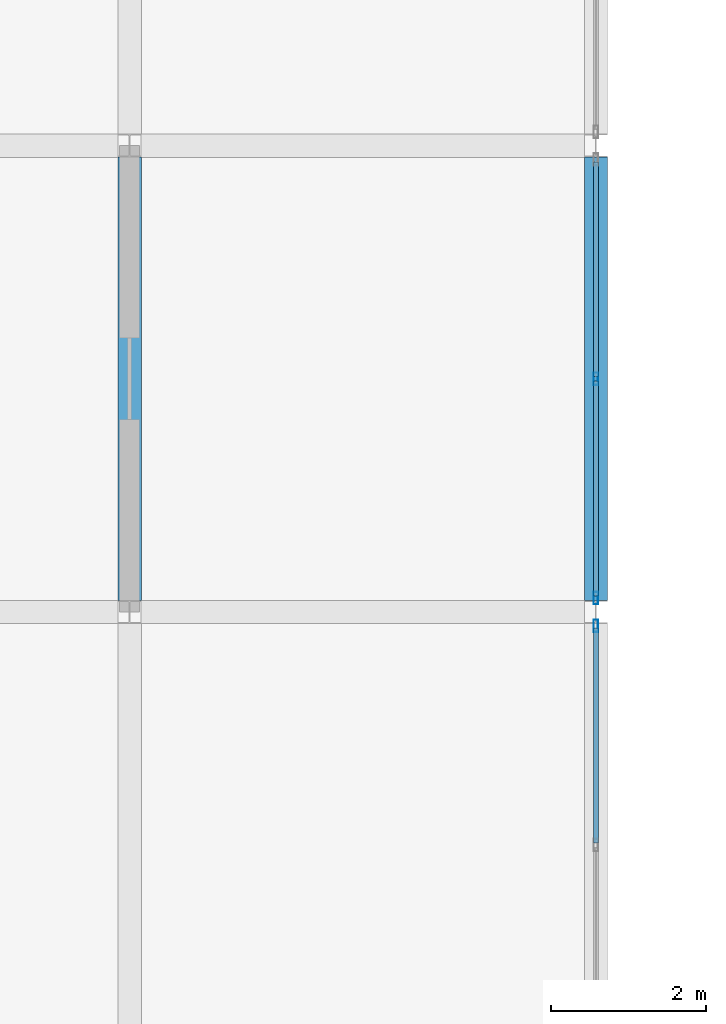
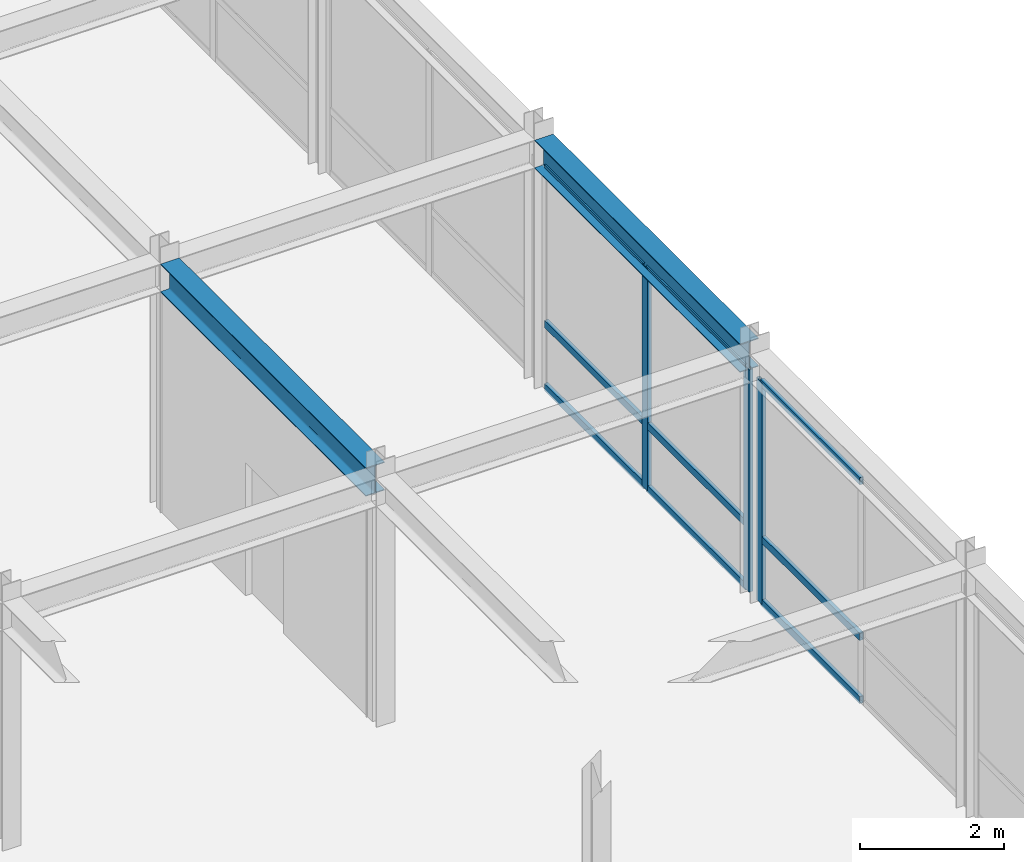
# One storey, part 63 of 108: 12 members, 2 beams, 2 elements without a shape of their own.
"""IFC4 building model written with IfcOpenShell, lengths in metres."""

from ifc_helpers import new_model, si_unit, direction, frame, origin, origin_2d, place, context, subcontext, project, spatial, hollow_rectangle, i_section, extrude, material, layer, layer_set, material_profile, profile_set, type_object, element, aggregate, save


model = new_model("IFC4")

# Units and contexts
model_context = context("Model", 3, precision=1e-05, world=origin(), true_north=direction((0.0, 1.0)))
body_context = subcontext(model_context, "Body", "Model", "MODEL_VIEW")
ifc_project = project(units=[si_unit("LENGTHUNIT", "METRE"), si_unit("AREAUNIT", "SQUARE_METRE"), si_unit("VOLUMEUNIT", "CUBIC_METRE"), si_unit("PLANEANGLEUNIT", "RADIAN"), si_unit("MASSUNIT", "GRAM", prefix="KILO")], contexts=[model_context])

# Site, building, storey
site_placement = place(None, origin())
site = spatial("IfcSite", under=ifc_project, at=site_placement, CompositionType="ELEMENT")
building_placement = place(site_placement, origin())
building = spatial("IfcBuilding", under=site, at=building_placement, Name="Zlatovratsky Civic Hall", CompositionType="ELEMENT")
storey_placement = place(building_placement, frame((0.0, 0.0, 12.0)))
storey = spatial("IfcBuildingStorey", under=building, at=storey_placement, Name="L03", CompositionType="ELEMENT", Elevation=12.0)

# Beams
ifc_material_1 = material(Name="Steel S355", Category="steel")
ifc_material_profile_1 = material_profile(ifc_material_1, i_section(OverallWidth=0.300048828125, OverallDepth=0.48193359375, WebThickness=0.010986328125, FlangeThickness=0.014892578125, FilletRadius=0.02392578125, at=origin_2d()), Name="50Sh1")
ifc_profile_set_1 = profile_set([ifc_material_profile_1], Name="Steel S355")
beam_type = type_object("IfcBeamType", Name="Beam_LibraryGirder_50Sh1", PredefinedType="BEAM", material=ifc_profile_set_1)
for number, where, z_axis, x_axis, name in (
    (1, (114.0, 42.14794921875, 3.97900390625), (0.0, 1.0, 0.0), (-1.0, 0.0, 0.0), "BM-3018"),
    (2, (120.0, 42.14794921875, 3.97900390625), (0.0, 1.0, 0.0), (-1.0, 0.0, 0.0), "BM-3035"),
):
    element("IfcBeam", number, at=place(storey_placement, frame(where, z_axis=z_axis, x_axis=x_axis)), inside=storey, type_object=beam_type, Name=name, PredefinedType="BEAM", context=body_context, shape_type="SweptSolid", body=[
        extrude(i_section(OverallWidth=0.300048828125, OverallDepth=0.48193359375, WebThickness=0.010986328125, FlangeThickness=0.014892578125, FilletRadius=0.02392578125, at=origin_2d()), origin(), (0.0, 0.0, 1.0), 5.7041015625),
    ])

# Curtain wall, member
ifc_material_2 = material(Name="Anodised bronze aluminium", Category="aluminium")
ifc_layer = layer(ifc_material_2, 0.159912109375)
ifc_layer_set = layer_set([ifc_layer], Name="Anodised bronze aluminium")
curtain_wall_type = type_object("IfcCurtainWallType", Name="CurtainWall_Bronze_5700x3770_12", PredefinedType="NOTDEFINED", material=ifc_layer_set)
curtain_wall_1_placement = place(storey_placement, origin())
curtain_wall_1 = element("IfcCurtainWall", 3, at=curtain_wall_1_placement, inside=storey, type_object=curtain_wall_type, Name="CW-076", PredefinedType="NOTDEFINED")
ifc_material_profile_2 = material_profile(ifc_material_2, hollow_rectangle(XDim=0.06005859375, YDim=0.159912109375, WallThickness=0.00390625, at=origin_2d()), Name="ALU 60x160x4")
ifc_profile_set_2 = profile_set([ifc_material_profile_2], Name="Anodised bronze aluminium")
member_type_1 = type_object("IfcMemberType", Name="CW_Mullion_60x160", PredefinedType="MULLION", material=ifc_profile_set_2)
member_1_placement = place(storey_placement, frame((120.0, 41.822021484375, 0.0), z_axis=(0.0, 0.0, 1.0), x_axis=(-1.0, 0.0, 0.0)))
member_1 = element("IfcMember", 4, at=member_1_placement, type_object=member_type_1, Name="CW-12 mullion 3", PredefinedType="MULLION", context=body_context, shape_type="SweptSolid", body=[
    extrude(hollow_rectangle(XDim=0.06005859375, YDim=0.159912109375, WallThickness=0.00390625, at=origin_2d()), origin(), (0.0, 0.0, 1.0), 3.77001953125),
])

# Curtain wall, members
curtain_wall_2_placement = place(storey_placement, origin())
curtain_wall_2 = element("IfcCurtainWall", 5, at=curtain_wall_2_placement, inside=storey, type_object=curtain_wall_type, Name="CW-077", PredefinedType="NOTDEFINED")
member_2_placement = place(storey_placement, frame((120.0, 42.177978515625, 0.0), z_axis=(0.0, 0.0, 1.0), x_axis=(-1.0, 0.0, 0.0)))
member_2 = element("IfcMember", 6, at=member_2_placement, type_object=member_type_1, Name="CW-12 mullion 1", PredefinedType="MULLION", context=body_context, shape_type="SweptSolid", body=[
    extrude(hollow_rectangle(XDim=0.06005859375, YDim=0.159912109375, WallThickness=0.00390625, at=origin_2d()), origin(), (0.0, 0.0, 1.0), 3.77001953125),
])
member_3_placement = place(storey_placement, frame((120.0, 45.0, 0.0), z_axis=(0.0, 0.0, 1.0), x_axis=(-1.0, 0.0, 0.0)))
member_3 = element("IfcMember", 7, at=member_3_placement, type_object=member_type_1, Name="CW-12 mullion 2", PredefinedType="MULLION", context=body_context, shape_type="SweptSolid", body=[
    extrude(hollow_rectangle(XDim=0.06005859375, YDim=0.159912109375, WallThickness=0.00390625, at=origin_2d()), origin(), (0.0, 0.0, 1.0), 3.77001953125),
])

# Member
ifc_material_profile_3 = material_profile(ifc_material_2, hollow_rectangle(XDim=0.06005859375, YDim=0.1201171875, WallThickness=0.00390625, at=origin_2d()), Name="ALU 60x120x4")
ifc_profile_set_3 = profile_set([ifc_material_profile_3], Name="Anodised bronze aluminium")
member_type_2 = type_object("IfcMemberType", Name="CW_Transom_60x120", PredefinedType="USERDEFINED", material=ifc_profile_set_3)
member_4_placement = place(storey_placement, frame((120.0, 39.030029296875, 0.030029296875), z_axis=(0.0, 1.0, 0.0), x_axis=(-1.0, 0.0, 0.0)))
member_4 = element("IfcMember", 8, at=member_4_placement, type_object=member_type_2, Name="CW-12 transom 2.1", ObjectType="TRANSOM", PredefinedType="USERDEFINED", context=body_context, shape_type="SweptSolid", body=[
    extrude(hollow_rectangle(XDim=0.06005859375, YDim=0.1201171875, WallThickness=0.00390625, at=origin_2d()), origin(), (0.0, 0.0, 1.0), 2.761962890625),
])

member_5_placement = place(storey_placement, frame((120.0, 39.030029296875, 1.10009765625), z_axis=(0.0, 1.0, 0.0), x_axis=(-1.0, 0.0, 0.0)))
member_5 = element("IfcMember", 9, at=member_5_placement, type_object=member_type_2, Name="CW-12 transom 2.2", ObjectType="TRANSOM", PredefinedType="USERDEFINED", context=body_context, shape_type="SweptSolid", body=[
    extrude(hollow_rectangle(XDim=0.06005859375, YDim=0.1201171875, WallThickness=0.00390625, at=origin_2d()), origin(), (0.0, 0.0, 1.0), 2.761962890625),
])

member_6_placement = place(storey_placement, frame((120.0, 39.030029296875, 3.739990234375), z_axis=(0.0, 1.0, 0.0), x_axis=(-1.0, 0.0, 0.0)))
member_6 = element("IfcMember", 10, at=member_6_placement, type_object=member_type_2, Name="CW-12 transom 2.3", ObjectType="TRANSOM", PredefinedType="USERDEFINED", context=body_context, shape_type="SweptSolid", body=[
    extrude(hollow_rectangle(XDim=0.06005859375, YDim=0.1201171875, WallThickness=0.00390625, at=origin_2d()), origin(), (0.0, 0.0, 1.0), 2.761962890625),
])

aggregate(curtain_wall_1, [member_1, member_4, member_5, member_6])

member_7_placement = place(storey_placement, frame((120.0, 42.2080078125, 0.030029296875), z_axis=(0.0, 1.0, 0.0), x_axis=(-1.0, 0.0, 0.0)))
member_7 = element("IfcMember", 11, at=member_7_placement, type_object=member_type_2, Name="CW-12 transom 1.1", ObjectType="TRANSOM", PredefinedType="USERDEFINED", context=body_context, shape_type="SweptSolid", body=[
    extrude(hollow_rectangle(XDim=0.06005859375, YDim=0.1201171875, WallThickness=0.00390625, at=origin_2d()), origin(), (0.0, 0.0, 1.0), 2.761962890625),
])

member_8_placement = place(storey_placement, frame((120.0, 42.2080078125, 1.10009765625), z_axis=(0.0, 1.0, 0.0), x_axis=(-1.0, 0.0, 0.0)))
member_8 = element("IfcMember", 12, at=member_8_placement, type_object=member_type_2, Name="CW-12 transom 1.2", ObjectType="TRANSOM", PredefinedType="USERDEFINED", context=body_context, shape_type="SweptSolid", body=[
    extrude(hollow_rectangle(XDim=0.06005859375, YDim=0.1201171875, WallThickness=0.00390625, at=origin_2d()), origin(), (0.0, 0.0, 1.0), 2.761962890625),
])

member_9_placement = place(storey_placement, frame((120.0, 42.2080078125, 3.739990234375), z_axis=(0.0, 1.0, 0.0), x_axis=(-1.0, 0.0, 0.0)))
member_9 = element("IfcMember", 13, at=member_9_placement, type_object=member_type_2, Name="CW-12 transom 1.3", ObjectType="TRANSOM", PredefinedType="USERDEFINED", context=body_context, shape_type="SweptSolid", body=[
    extrude(hollow_rectangle(XDim=0.06005859375, YDim=0.1201171875, WallThickness=0.00390625, at=origin_2d()), origin(), (0.0, 0.0, 1.0), 2.761962890625),
])

member_10_placement = place(storey_placement, frame((120.0, 45.030029296875, 0.030029296875), z_axis=(0.0, 1.0, 0.0), x_axis=(-1.0, 0.0, 0.0)))
member_10 = element("IfcMember", 14, at=member_10_placement, type_object=member_type_2, Name="CW-12 transom 2.1", ObjectType="TRANSOM", PredefinedType="USERDEFINED", context=body_context, shape_type="SweptSolid", body=[
    extrude(hollow_rectangle(XDim=0.06005859375, YDim=0.1201171875, WallThickness=0.00390625, at=origin_2d()), origin(), (0.0, 0.0, 1.0), 2.761962890625),
])

member_11_placement = place(storey_placement, frame((120.0, 45.030029296875, 1.10009765625), z_axis=(0.0, 1.0, 0.0), x_axis=(-1.0, 0.0, 0.0)))
member_11 = element("IfcMember", 15, at=member_11_placement, type_object=member_type_2, Name="CW-12 transom 2.2", ObjectType="TRANSOM", PredefinedType="USERDEFINED", context=body_context, shape_type="SweptSolid", body=[
    extrude(hollow_rectangle(XDim=0.06005859375, YDim=0.1201171875, WallThickness=0.00390625, at=origin_2d()), origin(), (0.0, 0.0, 1.0), 2.761962890625),
])

member_12_placement = place(storey_placement, frame((120.0, 45.030029296875, 3.739990234375), z_axis=(0.0, 1.0, 0.0), x_axis=(-1.0, 0.0, 0.0)))
member_12 = element("IfcMember", 16, at=member_12_placement, type_object=member_type_2, Name="CW-12 transom 2.3", ObjectType="TRANSOM", PredefinedType="USERDEFINED", context=body_context, shape_type="SweptSolid", body=[
    extrude(hollow_rectangle(XDim=0.06005859375, YDim=0.1201171875, WallThickness=0.00390625, at=origin_2d()), origin(), (0.0, 0.0, 1.0), 2.761962890625),
])

aggregate(curtain_wall_2, [member_2, member_3, member_7, member_8, member_9, member_10, member_11, member_12])

save(model, "model.ifc")
